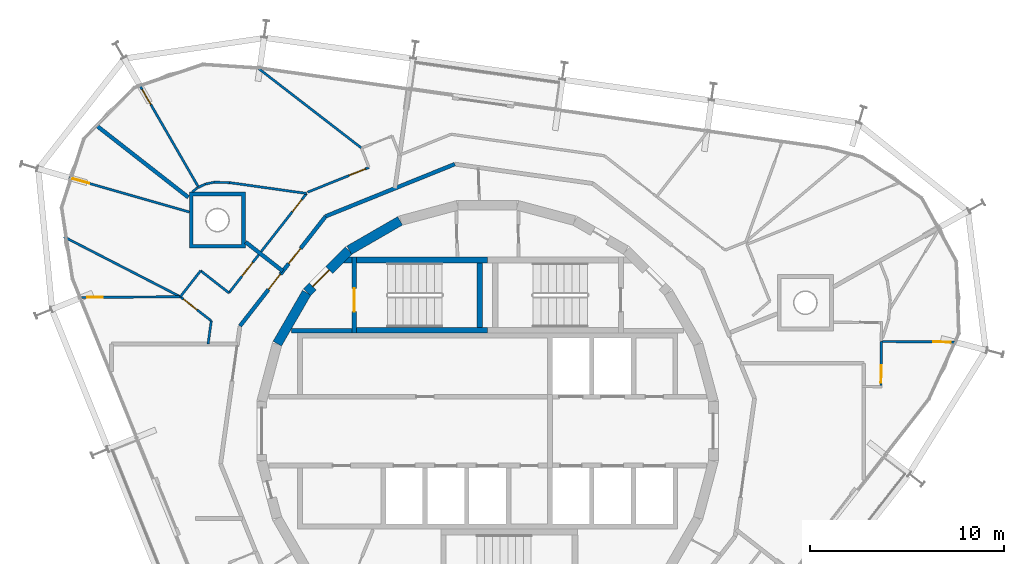
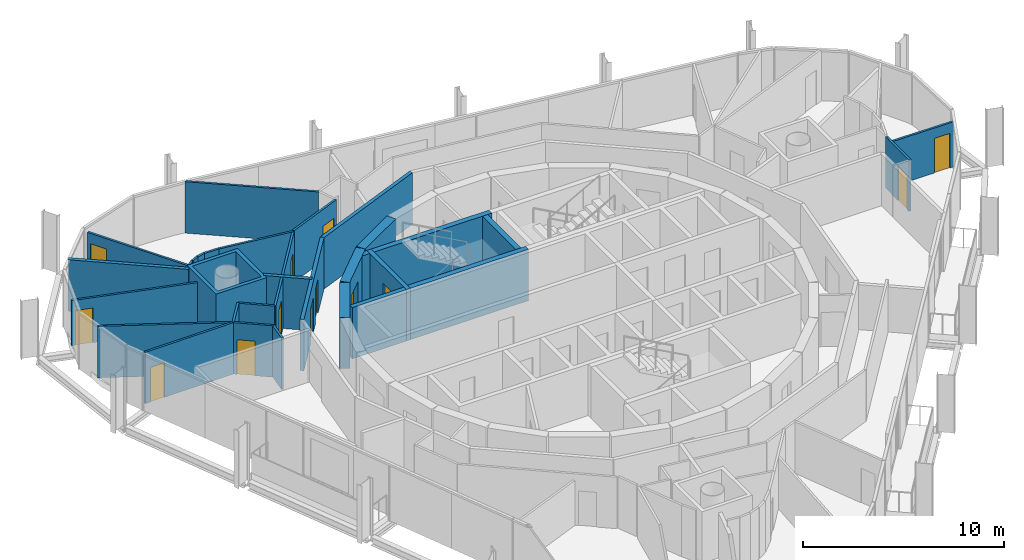
# One storey, part 12 of 15: 32 walls, 13 doors, 13 openings.
"""IFC4 building model written with IfcOpenShell, lengths in metres."""

from ifc_helpers import new_model, si_unit, direction, frame, frame_2d, origin, place, context, subcontext, project, spatial, polyline, rectangle, outline, extrude, material, layer, layer_set, type_object, element, fill, save


model = new_model("IFC4")

# Units and contexts
model_context = context("Model", 3, precision=1e-05, world=origin(), true_north=direction((0.0, 1.0)))
body_context = subcontext(model_context, "Body", "Model", "MODEL_VIEW")
ifc_project = project(units=[si_unit("LENGTHUNIT", "METRE"), si_unit("AREAUNIT", "SQUARE_METRE"), si_unit("VOLUMEUNIT", "CUBIC_METRE"), si_unit("PLANEANGLEUNIT", "RADIAN"), si_unit("MASSUNIT", "GRAM", prefix="KILO")], contexts=[model_context])

# Site, building, storey
site_placement = place(None, origin())
site = spatial("IfcSite", under=ifc_project, at=site_placement, CompositionType="ELEMENT")
building_placement = place(site_placement, origin())
building = spatial("IfcBuilding", under=site, at=building_placement, Name="Spindle Arch Residences", CompositionType="ELEMENT")
storey_placement = place(building_placement, frame((0.0, 0.0, 354.0)))
storey = spatial("IfcBuildingStorey", under=building, at=storey_placement, Name="L91", CompositionType="ELEMENT", Elevation=354.0)

# Wall
ifc_material_1 = material(Name="Concrete C50/60", Category="concrete")
ifc_layer_1 = layer(ifc_material_1, 0.5)
ifc_layer_set_1 = layer_set([ifc_layer_1], Name="Core outline wall 500")
wall_type_1 = type_object("IfcWallType", Name="Core outline wall 500", PredefinedType="SHEAR", material=ifc_layer_set_1)
wall_1_placement = place(storey_placement, frame((-4.510498046875, 10.84521484375, 0.0), z_axis=(0.0, 0.0, 1.0), x_axis=(-0.865975092491, -0.500087131594, 0.0)))
element("IfcWall", 1, at=wall_1_placement, inside=storey, type_object=wall_type_1, Name="Core outline wall 14", PredefinedType="SHEAR", context=body_context, shape_type="SweptSolid", body=[
    extrude(rectangle(XDim=3.03271484375, YDim=0.5, at=frame_2d((1.516357421875, 0.0))), origin(), (0.0, 0.0, 1.0), 3.1201171875),
])

# Wall, opening, door
wall_2_placement = place(storey_placement, frame((-7.163818359375, 9.30810546875, 0.0), z_axis=(0.0, 0.0, 1.0), x_axis=(-0.707106781187, -0.707106781187, 0.0)))
wall_2 = element("IfcWall", 2, at=wall_2_placement, inside=storey, type_object=wall_type_1, Name="Core outline wall 15", PredefinedType="SHEAR", context=body_context, shape_type="SweptSolid", body=[
    extrude(rectangle(XDim=3.032470703125, YDim=0.5, at=frame_2d((1.51611328125, 0.0))), origin(), (0.0, 0.0, 1.0), 3.1201171875),
])
opening_1_placement = place(wall_2_placement, frame((1.416259765625, 0.0, 0.0)))
opening_1 = element("IfcOpeningElement", 3, at=opening_1_placement, cuts=wall_2, Name="Opening R9C0-AD02", PredefinedType="OPENING", context=body_context, shape_type="SweptSolid", body=[
    extrude(rectangle(XDim=1.199951171875, YDim=2.10009765625, at=frame_2d((0.60009765625, 1.050048828125))), frame((0.0, 0.260009765625, 0.0), z_axis=(0.0, -1.0, 0.0), x_axis=(1.0, 0.0, 0.0)), (0.0, 0.0, 1.0), 0.52001953125),
])
ifc_material_2 = material(Name="Steel, fire-resisting door", Category="steel")
door_type_1 = type_object("IfcDoorType", Name="Stair airlock door 1200x2100", OperationType="SINGLE_SWING_LEFT", PredefinedType="DOOR", material=ifc_material_2)
door_1_placement = place(opening_1_placement, origin())
door_1 = element("IfcDoor", 4, at=door_1_placement, inside=storey, type_object=door_type_1, Name="Stair airlock door R9C0-AD02", OperationType="SINGLE_SWING_RIGHT", OverallHeight=2.10009765625, OverallWidth=1.199951171875, PredefinedType="DOOR", context=body_context, shape_type="SweptSolid", body=[
    extrude(rectangle(XDim=1.199951171875, YDim=2.10009765625, at=frame_2d((0.60009765625, 1.050048828125))), frame((0.0, 0.02490234375, 0.0), z_axis=(0.0, -1.0, 0.0), x_axis=(1.0, 0.0, 0.0)), (0.0, 0.0, 1.0), 0.050048828125),
])
fill(opening_1, door_1)

# Walls
wall_3_placement = place(storey_placement, frame((-9.32861328125, 7.13671875, 0.0), z_axis=(0.0, 0.0, 1.0), x_axis=(-0.500087131594, -0.865975092491, 0.0)))
element("IfcWall", 5, at=wall_3_placement, inside=storey, type_object=wall_type_1, Name="Core outline wall 16", PredefinedType="SHEAR", context=body_context, shape_type="SweptSolid", body=[
    extrude(rectangle(XDim=3.03271484375, YDim=0.5, at=frame_2d((1.516357421875, 0.0))), origin(), (0.0, 0.0, 1.0), 3.1201171875),
])
ifc_material_3 = material(Name="Calcium silicate block, plastered")
ifc_layer_2 = layer(ifc_material_3, 0.199951171875)
ifc_layer_set_2 = layer_set([ifc_layer_2], Name="Corridor wall 200")
wall_type_2 = type_object("IfcWallType", Name="Corridor wall 200", PredefinedType="STANDARD", material=ifc_layer_set_2)
wall_4_placement = place(storey_placement, frame((-1.690673828125, 13.769287109375, 0.0), z_axis=(0.0, 0.0, 1.0), x_axis=(-0.92717916932, -0.374618189599, 0.0)))
element("IfcWall", 6, at=wall_4_placement, inside=storey, type_object=wall_type_2, Name="Corridor wall R9C0-W011", PredefinedType="STANDARD", context=body_context, shape_type="SweptSolid", body=[
    extrude(rectangle(XDim=7.18115234375, YDim=0.199951171875, at=frame_2d((3.590576171875, 0.0))), origin(), (0.0, 0.0, 1.0), 3.1201171875),
])

# Wall, openings, doors
wall_5_placement = place(storey_placement, frame((-8.348876953125, 11.0791015625, 0.0), z_axis=(0.0, 0.0, 1.0), x_axis=(-0.615669112324, -0.78800478687, 0.0)))
wall_5 = element("IfcWall", 7, at=wall_5_placement, inside=storey, type_object=wall_type_2, Name="Corridor wall R9C0-W012", PredefinedType="STANDARD", context=body_context, shape_type="SweptSolid", body=[
    extrude(rectangle(XDim=7.18115234375, YDim=0.199951171875, at=frame_2d((3.590576171875, 0.0))), origin(), (0.0, 0.0, 1.0), 3.1201171875),
])
opening_2_placement = place(wall_5_placement, frame((2.10009765625, 0.0, 0.0)))
opening_2 = element("IfcOpeningElement", 8, at=opening_2_placement, cuts=wall_5, Name="Opening R9C0-FD03", PredefinedType="OPENING", context=body_context, shape_type="SweptSolid", body=[
    extrude(rectangle(XDim=1.0, YDim=2.10009765625, at=frame_2d((0.5, 1.050048828125))), frame((0.0, 0.10986328125, 0.0), z_axis=(0.0, -1.0, 0.0), x_axis=(1.0, 0.0, 0.0)), (0.0, 0.0, 1.0), 0.219970703125),
])
opening_3_placement = place(wall_5_placement, frame((3.790283203125, 0.0, 0.0)))
opening_3 = element("IfcOpeningElement", 9, at=opening_3_placement, cuts=wall_5, Name="Opening R9C0-FD04", PredefinedType="OPENING", context=body_context, shape_type="SweptSolid", body=[
    extrude(rectangle(XDim=1.0, YDim=2.10009765625, at=frame_2d((0.5, 1.050048828125))), frame((0.0, 0.10986328125, 0.0), z_axis=(0.0, -1.0, 0.0), x_axis=(1.0, 0.0, 0.0)), (0.0, 0.0, 1.0), 0.219970703125),
])
ifc_material_4 = material(Name="Timber, fire-resisting door set", Category="wood")
door_type_2 = type_object("IfcDoorType", Name="Flat entrance door 1000x2100", OperationType="NOTDEFINED", PredefinedType="DOOR", material=ifc_material_4)
door_2_placement = place(opening_2_placement, origin())
door_2 = element("IfcDoor", 10, at=door_2_placement, inside=storey, type_object=door_type_2, Name="Flat entrance door R9C0-FD03", OperationType="SINGLE_SWING_RIGHT", OverallHeight=2.10009765625, OverallWidth=1.0, PredefinedType="DOOR", context=body_context, shape_type="SweptSolid", body=[
    extrude(rectangle(XDim=1.0, YDim=2.10009765625, at=frame_2d((0.5, 1.050048828125))), frame((0.0, 0.02490234375, 0.0), z_axis=(0.0, -1.0, 0.0), x_axis=(1.0, 0.0, 0.0)), (0.0, 0.0, 1.0), 0.050048828125),
])
fill(opening_2, door_2)
door_3_placement = place(opening_3_placement, origin())
door_3 = element("IfcDoor", 11, at=door_3_placement, inside=storey, type_object=door_type_2, Name="Flat entrance door R9C0-FD04", OperationType="SINGLE_SWING_LEFT", OverallHeight=2.10009765625, OverallWidth=1.0, PredefinedType="DOOR", context=body_context, shape_type="SweptSolid", body=[
    extrude(rectangle(XDim=1.0, YDim=2.10009765625, at=frame_2d((0.5, 1.050048828125))), frame((0.0, 0.02490234375, 0.0), z_axis=(0.0, -1.0, 0.0), x_axis=(1.0, 0.0, 0.0)), (0.0, 0.0, 1.0), 0.050048828125),
])
fill(opening_3, door_3)

# Wall, opening, door
ifc_material_5 = material(Name="Plasterboard on steel studs", Category="steel")
ifc_layer_3 = layer(ifc_material_5, 0.1201171875)
ifc_layer_set_3 = layer_set([ifc_layer_3], Name="Flat partition 120")
wall_type_3 = type_object("IfcWallType", Name="Flat partition 120", PredefinedType="PARTITIONING", material=ifc_layer_set_3)
wall_6_placement = place(storey_placement, frame((20.285400390625, 2.29296875, 0.0), z_axis=(0.0, 0.0, 1.0), x_axis=(0.008900171034, 0.999960392693, 0.0)))
wall_6 = element("IfcWall", 12, at=wall_6_placement, inside=storey, type_object=wall_type_3, Name="Flat partition R9C0-W031", PredefinedType="PARTITIONING", context=body_context, shape_type="SweptSolid", body=[
    extrude(rectangle(XDim=2.33154296875, YDim=0.1201171875, at=frame_2d((1.165771484375, 0.0))), origin(), (0.0, 0.0, 1.0), 3.1201171875),
])
opening_4_placement = place(wall_6_placement, frame((0.199951171875, 0.0, 0.0)))
opening_4 = element("IfcOpeningElement", 13, at=opening_4_placement, cuts=wall_6, Name="Opening R9C0-ID01", PredefinedType="OPENING", context=body_context, shape_type="SweptSolid", body=[
    extrude(rectangle(XDim=0.89990234375, YDim=2.10009765625, at=frame_2d((0.449951171875, 1.050048828125))), frame((0.0, 0.070068359375, 0.0), z_axis=(0.0, -1.0, 0.0), x_axis=(1.0, 0.0, 0.0)), (0.0, 0.0, 1.0), 0.14013671875),
])
ifc_material_6 = material(Name="Timber door set", Category="wood")
door_type_3 = type_object("IfcDoorType", Name="Room door 900x2100", OperationType="NOTDEFINED", PredefinedType="DOOR", material=ifc_material_6)
door_4_placement = place(opening_4_placement, origin())
door_4 = element("IfcDoor", 14, at=door_4_placement, inside=storey, type_object=door_type_3, Name="Room door R9C0-ID01", OperationType="SINGLE_SWING_RIGHT", OverallHeight=2.10009765625, OverallWidth=0.89990234375, PredefinedType="DOOR", context=body_context, shape_type="SweptSolid", body=[
    extrude(rectangle(XDim=0.89990234375, YDim=2.10009765625, at=frame_2d((0.449951171875, 1.050048828125))), frame((0.0, 0.02490234375, 0.0), z_axis=(0.0, -1.0, 0.0), x_axis=(1.0, 0.0, 0.0)), (0.0, 0.0, 1.0), 0.050048828125),
])
fill(opening_4, door_4)

wall_7_placement = place(storey_placement, frame((-6.1181640625, 13.598388671875, 0.0), z_axis=(0.0, 0.0, 1.0), x_axis=(-0.927163982911, -0.374655773735, 0.0)))
wall_7 = element("IfcWall", 15, at=wall_7_placement, inside=storey, type_object=wall_type_3, Name="Flat partition R9C0-W053", PredefinedType="PARTITIONING", context=body_context, shape_type="SweptSolid", body=[
    extrude(rectangle(XDim=3.4140625, YDim=0.1201171875, at=frame_2d((1.70703125, 0.0))), origin(), (0.0, 0.0, 1.0), 3.1201171875),
])
opening_5_placement = place(wall_7_placement, frame((0.199951171875, 0.0, 0.0)))
opening_5 = element("IfcOpeningElement", 16, at=opening_5_placement, cuts=wall_7, Name="Opening R9C0-ID09", PredefinedType="OPENING", context=body_context, shape_type="SweptSolid", body=[
    extrude(rectangle(XDim=0.89990234375, YDim=2.10009765625, at=frame_2d((0.449951171875, 1.050048828125))), frame((0.0, 0.070068359375, 0.0), z_axis=(0.0, -1.0, 0.0), x_axis=(1.0, 0.0, 0.0)), (0.0, 0.0, 1.0), 0.14013671875),
])
door_5_placement = place(opening_5_placement, origin())
door_5 = element("IfcDoor", 17, at=door_5_placement, inside=storey, type_object=door_type_3, Name="Room door R9C0-ID09", OperationType="SINGLE_SWING_RIGHT", OverallHeight=2.10009765625, OverallWidth=0.89990234375, PredefinedType="DOOR", context=body_context, shape_type="SweptSolid", body=[
    extrude(rectangle(XDim=0.89990234375, YDim=2.10009765625, at=frame_2d((0.449951171875, 1.050048828125))), frame((0.0, 0.02490234375, 0.0), z_axis=(0.0, -1.0, 0.0), x_axis=(1.0, 0.0, 0.0)), (0.0, 0.0, 1.0), 0.050048828125),
])
fill(opening_5, door_5)

# Wall, openings, doors
wall_8_placement = place(storey_placement, frame((-9.33251953125, 12.256591796875, 0.0), z_axis=(0.0, 0.0, 1.0), x_axis=(-0.615643313808, -0.788024942602, 0.0)))
wall_8 = element("IfcWall", 18, at=wall_8_placement, inside=storey, type_object=wall_type_3, Name="Flat partition R9C0-W054", PredefinedType="PARTITIONING", context=body_context, shape_type="SweptSolid", body=[
    extrude(rectangle(XDim=6.50634765625, YDim=0.1201171875, at=frame_2d((3.253173828125, 0.0))), origin(), (0.0, 0.0, 1.0), 3.1201171875),
])
opening_6_placement = place(wall_8_placement, frame((0.39990234375, 0.0, 0.0)))
opening_6 = element("IfcOpeningElement", 19, at=opening_6_placement, cuts=wall_8, Name="Opening R9C0-BD03", PredefinedType="OPENING", context=body_context, shape_type="SweptSolid", body=[
    extrude(rectangle(XDim=0.800048828125, YDim=2.10009765625, at=frame_2d((0.39990234375, 1.050048828125))), frame((0.0, 0.070068359375, 0.0), z_axis=(0.0, -1.0, 0.0), x_axis=(1.0, 0.0, 0.0)), (0.0, 0.0, 1.0), 0.14013671875),
])
opening_7_placement = place(wall_8_placement, frame((4.512451171875, 0.0, 0.0)))
opening_7 = element("IfcOpeningElement", 20, at=opening_7_placement, cuts=wall_8, Name="Opening R9C0-ID11", PredefinedType="OPENING", context=body_context, shape_type="SweptSolid", body=[
    extrude(rectangle(XDim=0.89990234375, YDim=2.10009765625, at=frame_2d((0.449951171875, 1.050048828125))), frame((0.0, 0.070068359375, 0.0), z_axis=(0.0, -1.0, 0.0), x_axis=(1.0, 0.0, 0.0)), (0.0, 0.0, 1.0), 0.14013671875),
])
ifc_material_7 = material(Name="Timber door set", Category="wood")
door_type_4 = type_object("IfcDoorType", Name="Bathroom door 800x2100", OperationType="NOTDEFINED", PredefinedType="DOOR", material=ifc_material_7)
door_6_placement = place(opening_6_placement, origin())
door_6 = element("IfcDoor", 21, at=door_6_placement, inside=storey, type_object=door_type_4, Name="Bathroom door R9C0-BD03", OperationType="SINGLE_SWING_RIGHT", OverallHeight=2.10009765625, OverallWidth=0.800048828125, PredefinedType="DOOR", context=body_context, shape_type="SweptSolid", body=[
    extrude(rectangle(XDim=0.800048828125, YDim=2.10009765625, at=frame_2d((0.39990234375, 1.050048828125))), frame((0.0, 0.02490234375, 0.0), z_axis=(0.0, -1.0, 0.0), x_axis=(1.0, 0.0, 0.0)), (0.0, 0.0, 1.0), 0.050048828125),
])
fill(opening_6, door_6)
door_7_placement = place(opening_7_placement, origin())
door_7 = element("IfcDoor", 22, at=door_7_placement, inside=storey, type_object=door_type_3, Name="Room door R9C0-ID11", OperationType="SINGLE_SWING_LEFT", OverallHeight=2.10009765625, OverallWidth=0.89990234375, PredefinedType="DOOR", context=body_context, shape_type="SweptSolid", body=[
    extrude(rectangle(XDim=0.89990234375, YDim=2.10009765625, at=frame_2d((0.449951171875, 1.050048828125))), frame((0.0, 0.02490234375, 0.0), z_axis=(0.0, -1.0, 0.0), x_axis=(1.0, 0.0, 0.0)), (0.0, 0.0, 1.0), 0.050048828125),
])
fill(opening_7, door_7)

# Walls
wall_9_placement = place(storey_placement, frame((-11.80322265625, 18.693115234375, 0.0), z_axis=(0.0, 0.0, 1.0), x_axis=(0.791388468332, -0.611313579262, 0.0)))
element("IfcWall", 23, at=wall_9_placement, inside=storey, type_object=wall_type_3, Name="Flat partition R9C0-W055", PredefinedType="PARTITIONING", context=body_context, shape_type="SweptSolid", body=[
    extrude(rectangle(XDim=6.693359375, YDim=0.1201171875, at=frame_2d((3.3466796875, 0.0))), origin(), (0.0, 0.0, 1.0), 3.1201171875),
])
wall_10_placement = place(storey_placement, frame((-14.941162109375, 12.556884765625, 0.0), z_axis=(0.0, 0.0, 1.0), x_axis=(0.903749522455, 0.428061678572, 0.0)))
element("IfcWall", 24, at=wall_10_placement, inside=storey, type_object=wall_type_3, Name="Flat partition R9C0-W056", PredefinedType="PARTITIONING", context=body_context, shape_type="SweptSolid", body=[
    extrude(rectangle(XDim=0.425537109375, YDim=0.1201171875, at=frame_2d((0.212890625, 0.0))), origin(), (0.0, 0.0, 1.0), 3.1201171875),
])
wall_11_placement = place(storey_placement, frame((-14.556640625, 12.739013671875, 0.0), z_axis=(0.0, 0.0, 1.0), x_axis=(0.978201106396, 0.207659807008, 0.0)))
element("IfcWall", 25, at=wall_11_placement, inside=storey, type_object=wall_type_3, Name="Flat partition R9C0-W057", PredefinedType="PARTITIONING", context=body_context, shape_type="SweptSolid", body=[
    extrude(rectangle(XDim=0.455078125, YDim=0.1201171875, at=frame_2d((0.2275390625, 0.0))), origin(), (0.0, 0.0, 1.0), 3.1201171875),
])
wall_12_placement = place(storey_placement, frame((-14.111572265625, 12.83349609375, 0.0), z_axis=(0.0, 0.0, 1.0), x_axis=(0.999735389157, -0.023003296874, 0.0)))
element("IfcWall", 26, at=wall_12_placement, inside=storey, type_object=wall_type_3, Name="Flat partition R9C0-W058", PredefinedType="PARTITIONING", context=body_context, shape_type="SweptSolid", body=[
    extrude(rectangle(XDim=0.806640625, YDim=0.1201171875, at=frame_2d((0.4033203125, 0.0))), origin(), (0.0, 0.0, 1.0), 3.1201171875),
])
wall_13_placement = place(storey_placement, frame((-13.30517578125, 12.81494140625, 0.0), z_axis=(0.0, 0.0, 1.0), x_axis=(0.990267066123, -0.139180234773, 0.0)))
element("IfcWall", 27, at=wall_13_placement, inside=storey, type_object=wall_type_3, Name="Flat partition R9C0-W059", PredefinedType="PARTITIONING", context=body_context, shape_type="SweptSolid", body=[
    extrude(rectangle(XDim=4.01171875, YDim=0.1201171875, at=frame_2d((2.005859375, 0.0))), origin(), (0.0, 0.0, 1.0), 3.1201171875),
])
wall_14_placement = place(storey_placement, frame((-14.9677734375, 12.54443359375, 0.0), z_axis=(0.0, 0.0, 1.0), x_axis=(-0.780727997402, -0.62487102195, 0.0)))
element("IfcWall", 28, at=wall_14_placement, inside=storey, type_object=wall_type_3, Name="Flat partition R9C0-W061", PredefinedType="PARTITIONING", context=body_context, shape_type="SweptSolid", body=[
    extrude(rectangle(XDim=0.33837890625, YDim=0.1201171875, at=frame_2d((0.169189453125, 0.0))), origin(), (0.0, 0.0, 1.0), 3.1201171875),
])
wall_15_placement = place(storey_placement, frame((-13.338134765625, 7.12939453125, 0.0), z_axis=(0.0, 0.0, 1.0), x_axis=(-0.787938483233, 0.615753965997, 0.0)))
element("IfcWall", 29, at=wall_15_placement, inside=storey, type_object=wall_type_3, Name="Flat partition R9C0-W062", PredefinedType="PARTITIONING", context=body_context, shape_type="SweptSolid", body=[
    extrude(rectangle(XDim=1.853271484375, YDim=0.1201171875, at=frame_2d((0.9267578125, 0.0))), origin(), (0.0, 0.0, 1.0), 3.1201171875),
])
wall_16_placement = place(storey_placement, frame((-14.79833984375, 8.2705078125, 0.0), z_axis=(0.0, 0.0, 1.0), x_axis=(-0.615669123866, -0.788004777852, 0.0)))
element("IfcWall", 30, at=wall_16_placement, inside=storey, type_object=wall_type_3, Name="Flat partition R9C0-W063", PredefinedType="PARTITIONING", context=body_context, shape_type="SweptSolid", body=[
    extrude(rectangle(XDim=1.699951171875, YDim=0.1201171875, at=frame_2d((0.85009765625, 0.0))), origin(), (0.0, 0.0, 1.0), 3.1201171875),
])

# Wall, opening, door
wall_17_placement = place(storey_placement, frame((-15.844970703125, 6.930908203125, 0.0), z_axis=(0.0, 0.0, 1.0), x_axis=(0.787962283792, -0.615723508827, 0.0)))
wall_17 = element("IfcWall", 31, at=wall_17_placement, inside=storey, type_object=wall_type_3, Name="Flat partition R9C0-W064", PredefinedType="PARTITIONING", context=body_context, shape_type="SweptSolid", body=[
    extrude(rectangle(XDim=2.02685546875, YDim=0.1201171875, at=frame_2d((1.013427734375, 0.0))), origin(), (0.0, 0.0, 1.0), 3.1201171875),
])
opening_8_placement = place(wall_17_placement, frame((0.199951171875, 0.0, 0.0)))
opening_8 = element("IfcOpeningElement", 32, at=opening_8_placement, cuts=wall_17, Name="Opening R9C0-ID12", PredefinedType="OPENING", context=body_context, shape_type="SweptSolid", body=[
    extrude(rectangle(XDim=0.89990234375, YDim=2.10009765625, at=frame_2d((0.449951171875, 1.050048828125))), frame((0.0, 0.070068359375, 0.0), z_axis=(0.0, -1.0, 0.0), x_axis=(1.0, 0.0, 0.0)), (0.0, 0.0, 1.0), 0.14013671875),
])
door_8_placement = place(opening_8_placement, origin())
door_8 = element("IfcDoor", 33, at=door_8_placement, inside=storey, type_object=door_type_3, Name="Room door R9C0-ID12", OperationType="SINGLE_SWING_LEFT", OverallHeight=2.10009765625, OverallWidth=0.89990234375, PredefinedType="DOOR", context=body_context, shape_type="SweptSolid", body=[
    extrude(rectangle(XDim=0.89990234375, YDim=2.10009765625, at=frame_2d((0.449951171875, 1.050048828125))), frame((0.0, 0.02490234375, 0.0), z_axis=(0.0, -1.0, 0.0), x_axis=(1.0, 0.0, 0.0)), (0.0, 0.0, 1.0), 0.050048828125),
])
fill(opening_8, door_8)

# Walls
wall_18_placement = place(storey_placement, frame((-14.247802734375, 5.682861328125, 0.0), z_axis=(0.0, 0.0, 1.0), x_axis=(-0.139189066398, -0.990265824814, 0.0)))
element("IfcWall", 34, at=wall_18_placement, inside=storey, type_object=wall_type_3, Name="Flat partition R9C0-W065", PredefinedType="PARTITIONING", context=body_context, shape_type="SweptSolid", body=[
    extrude(rectangle(XDim=1.194580078125, YDim=0.1201171875, at=frame_2d((0.59716796875, 0.0))), origin(), (0.0, 0.0, 1.0), 3.1201171875),
])
wall_19_placement = place(storey_placement, frame((-21.85009765625, 10.021484375, 0.0), z_axis=(0.0, 0.0, 1.0), x_axis=(0.889153763622, -0.457608549567, 0.0)))
element("IfcWall", 35, at=wall_19_placement, inside=storey, type_object=wall_type_3, Name="Flat partition R9C0-W067", PredefinedType="PARTITIONING", context=body_context, shape_type="SweptSolid", body=[
    extrude(rectangle(XDim=6.753662109375, YDim=0.1201171875, at=frame_2d((3.376953125, 0.0))), origin(), (0.0, 0.0, 1.0), 3.1201171875),
])

# Wall, opening, door
wall_20_placement = place(storey_placement, frame((-20.945556640625, 6.892333984375, 0.0), z_axis=(0.0, 0.0, 1.0), x_axis=(0.999971403985, 0.007562487164, 0.0)))
wall_20 = element("IfcWall", 36, at=wall_20_placement, inside=storey, type_object=wall_type_3, Name="Flat partition R9C0-W068", PredefinedType="PARTITIONING", context=body_context, shape_type="SweptSolid", body=[
    extrude(rectangle(XDim=5.100830078125, YDim=0.1201171875, at=frame_2d((2.55029296875, 0.0))), origin(), (0.0, 0.0, 1.0), 3.1201171875),
])
opening_9_placement = place(wall_20_placement, frame((0.300048828125, 0.0, 0.0)))
opening_9 = element("IfcOpeningElement", 37, at=opening_9_placement, cuts=wall_20, Name="Opening R9C0-BD04", PredefinedType="OPENING", context=body_context, shape_type="SweptSolid", body=[
    extrude(rectangle(XDim=0.800048828125, YDim=2.10009765625, at=frame_2d((0.39990234375, 1.050048828125))), frame((0.0, 0.070068359375, 0.0), z_axis=(0.0, -1.0, 0.0), x_axis=(1.0, 0.0, 0.0)), (0.0, 0.0, 1.0), 0.14013671875),
])
door_9_placement = place(opening_9_placement, origin())
door_9 = element("IfcDoor", 38, at=door_9_placement, inside=storey, type_object=door_type_4, Name="Bathroom door R9C0-BD04", OperationType="SINGLE_SWING_LEFT", OverallHeight=2.10009765625, OverallWidth=0.800048828125, PredefinedType="DOOR", context=body_context, shape_type="SweptSolid", body=[
    extrude(rectangle(XDim=0.800048828125, YDim=2.10009765625, at=frame_2d((0.39990234375, 1.050048828125))), frame((0.0, 0.02490234375, 0.0), z_axis=(0.0, -1.0, 0.0), x_axis=(1.0, 0.0, 0.0)), (0.0, 0.0, 1.0), 0.050048828125),
])
fill(opening_9, door_9)

ifc_material_8 = material(Name="Plasterboard on steel studs", Category="steel")
ifc_layer_4 = layer(ifc_material_8, 0.1201171875)
ifc_layer_set_4 = layer_set([ifc_layer_4], Name="Flat partition 120 under beam 2730")
wall_type_4 = type_object("IfcWallType", Name="Flat partition 120 under beam 2730", PredefinedType="PARTITIONING", material=ifc_layer_set_4)
wall_21_placement = place(storey_placement, frame((24.084716796875, 4.5908203125, 0.0), z_axis=(0.0, 0.0, 1.0), x_axis=(-0.99996025077, 0.008916102255, 0.0)))
wall_21 = element("IfcWall", 39, at=wall_21_placement, inside=storey, type_object=wall_type_4, Name="Flat partition R9C0-W034", PredefinedType="PARTITIONING", context=body_context, shape_type="SweptSolid", body=[
    extrude(rectangle(XDim=3.77880859375, YDim=0.1201171875, at=frame_2d((1.889404296875, 0.0))), origin(), (0.0, 0.0, 1.0), 2.72998046875),
])
opening_10_placement = place(wall_21_placement, frame((0.199951171875, 0.0, 0.0)))
opening_10 = element("IfcOpeningElement", 40, at=opening_10_placement, cuts=wall_21, Name="Opening R9C0-ID03", PredefinedType="OPENING", context=body_context, shape_type="SweptSolid", body=[
    extrude(rectangle(XDim=0.89990234375, YDim=2.10009765625, at=frame_2d((0.449951171875, 1.050048828125))), frame((0.0, 0.070068359375, 0.0), z_axis=(0.0, -1.0, 0.0), x_axis=(1.0, 0.0, 0.0)), (0.0, 0.0, 1.0), 0.14013671875),
])
door_10_placement = place(opening_10_placement, origin())
door_10 = element("IfcDoor", 41, at=door_10_placement, inside=storey, type_object=door_type_3, Name="Room door R9C0-ID03", OperationType="SINGLE_SWING_RIGHT", OverallHeight=2.10009765625, OverallWidth=0.89990234375, PredefinedType="DOOR", context=body_context, shape_type="SweptSolid", body=[
    extrude(rectangle(XDim=0.89990234375, YDim=2.10009765625, at=frame_2d((0.449951171875, 1.050048828125))), frame((0.0, 0.02490234375, 0.0), z_axis=(0.0, -1.0, 0.0), x_axis=(1.0, 0.0, 0.0)), (0.0, 0.0, 1.0), 0.050048828125),
])
fill(opening_10, door_10)

wall_22_placement = place(storey_placement, frame((-17.912353515625, 17.788818359375, 0.0), z_axis=(0.0, 0.0, 1.0), x_axis=(0.499615949423, -0.866247021976, 0.0)))
wall_22 = element("IfcWall", 42, at=wall_22_placement, inside=storey, type_object=wall_type_4, Name="Flat partition R9C0-W060", PredefinedType="PARTITIONING", context=body_context, shape_type="SweptSolid", body=[
    extrude(rectangle(XDim=6.019775390625, YDim=0.1201171875, at=frame_2d((3.009765625, 0.0))), origin(), (0.0, 0.0, 1.0), 2.72998046875),
])
opening_11_placement = place(wall_22_placement, frame((0.199951171875, 0.0, 0.0)))
opening_11 = element("IfcOpeningElement", 43, at=opening_11_placement, cuts=wall_22, Name="Opening R9C0-ID10", PredefinedType="OPENING", context=body_context, shape_type="SweptSolid", body=[
    extrude(rectangle(XDim=0.89990234375, YDim=2.10009765625, at=frame_2d((0.449951171875, 1.050048828125))), frame((0.0, 0.070068359375, 0.0), z_axis=(0.0, -1.0, 0.0), x_axis=(1.0, 0.0, 0.0)), (0.0, 0.0, 1.0), 0.14013671875),
])
door_11_placement = place(opening_11_placement, origin())
door_11 = element("IfcDoor", 44, at=door_11_placement, inside=storey, type_object=door_type_3, Name="Room door R9C0-ID10", OperationType="SINGLE_SWING_RIGHT", OverallHeight=2.10009765625, OverallWidth=0.89990234375, PredefinedType="DOOR", context=body_context, shape_type="SweptSolid", body=[
    extrude(rectangle(XDim=0.89990234375, YDim=2.10009765625, at=frame_2d((0.449951171875, 1.050048828125))), frame((0.0, 0.02490234375, 0.0), z_axis=(0.0, -1.0, 0.0), x_axis=(1.0, 0.0, 0.0)), (0.0, 0.0, 1.0), 0.050048828125),
])
fill(opening_11, door_11)

wall_23_placement = place(storey_placement, frame((-21.59375, 13.076904296875, 0.0), z_axis=(0.0, 0.0, 1.0), x_axis=(0.961389857774, -0.275190009576, 0.0)))
wall_23 = element("IfcWall", 45, at=wall_23_placement, inside=storey, type_object=wall_type_4, Name="Flat partition R9C0-W066", PredefinedType="PARTITIONING", context=body_context, shape_type="SweptSolid", body=[
    extrude(rectangle(XDim=6.4638671875, YDim=0.1201171875, at=frame_2d((3.23193359375, 0.0))), origin(), (0.0, 0.0, 1.0), 2.72998046875),
])
opening_12_placement = place(wall_23_placement, frame((0.199951171875, 0.0, 0.0)))
opening_12 = element("IfcOpeningElement", 46, at=opening_12_placement, cuts=wall_23, Name="Opening R9C0-ID13", PredefinedType="OPENING", context=body_context, shape_type="SweptSolid", body=[
    extrude(rectangle(XDim=0.89990234375, YDim=2.10009765625, at=frame_2d((0.449951171875, 1.050048828125))), frame((0.0, 0.070068359375, 0.0), z_axis=(0.0, -1.0, 0.0), x_axis=(1.0, 0.0, 0.0)), (0.0, 0.0, 1.0), 0.14013671875),
])
door_12_placement = place(opening_12_placement, origin())
door_12 = element("IfcDoor", 47, at=door_12_placement, inside=storey, type_object=door_type_3, Name="Room door R9C0-ID13", OperationType="SINGLE_SWING_LEFT", OverallHeight=2.10009765625, OverallWidth=0.89990234375, PredefinedType="DOOR", context=body_context, shape_type="SweptSolid", body=[
    extrude(rectangle(XDim=0.89990234375, YDim=2.10009765625, at=frame_2d((0.449951171875, 1.050048828125))), frame((0.0, 0.02490234375, 0.0), z_axis=(0.0, -1.0, 0.0), x_axis=(1.0, 0.0, 0.0)), (0.0, 0.0, 1.0), 0.050048828125),
])
fill(opening_12, door_12)

# Walls
ifc_material_9 = material(Name="Calcium silicate block, plastered")
ifc_layer_5 = layer(ifc_material_9, 0.199951171875)
ifc_layer_set_5 = layer_set([ifc_layer_5], Name="Flat party wall 200")
wall_type_5 = type_object("IfcWallType", Name="Flat party wall 200", PredefinedType="STANDARD", material=ifc_layer_set_5)
wall_24_placement = place(storey_placement, frame((-12.4794921875, 9.75, 0.0), z_axis=(0.0, 0.0, 1.0), x_axis=(0.788050197026, -0.615610986717, 0.0)))
element("IfcWall", 48, at=wall_24_placement, inside=storey, type_object=wall_type_5, Name="Flat party wall R9C0-W026", PredefinedType="STANDARD", context=body_context, shape_type="SweptSolid", body=[
    extrude(rectangle(XDim=2.4365234375, YDim=0.199951171875, at=frame_2d((1.21826171875, 0.0))), origin(), (0.0, 0.0, 1.0), 3.1201171875),
])
wall_25_placement = place(storey_placement, frame((-20.19091796875, 15.77490234375, 0.0), z_axis=(0.0, 0.0, 1.0), x_axis=(0.788013955741, -0.615657376758, 0.0)))
element("IfcWall", 49, at=wall_25_placement, inside=storey, type_object=wall_type_5, Name="Flat party wall R9C0-W027", PredefinedType="STANDARD", context=body_context, shape_type="SweptSolid", body=[
    extrude(rectangle(XDim=6.039794921875, YDim=0.199951171875, at=frame_2d((3.02001953125, 0.0))), origin(), (0.0, 0.0, 1.0), 3.1201171875),
])
ifc_material_10 = material(Name="Calcium silicate block, plastered")
ifc_layer_6 = layer(ifc_material_10, 0.199951171875)
ifc_layer_set_6 = layer_set([ifc_layer_6], Name="Mega-column casing wall 200")
wall_type_6 = type_object("IfcWallType", Name="Mega-column casing wall 200", PredefinedType="STANDARD", material=ifc_layer_set_6)
wall_26_placement = place(storey_placement, origin())
element("IfcWall", 50, at=wall_26_placement, inside=storey, type_object=wall_type_6, Name="Mega-column casing wall R9C0-WC02", PredefinedType="STANDARD", context=body_context, shape_type="SweptSolid", body=[
    extrude(outline(polyline([(-12.4794921875, 12.3330078125), (-12.4794921875, 9.43310546875), (-15.37939453125, 9.43310546875), (-15.37939453125, 12.3330078125), (-12.4794921875, 12.3330078125)]), holes=[polyline([(-15.179443359375, 9.633056640625), (-12.679443359375, 9.633056640625), (-12.679443359375, 12.133056640625), (-15.179443359375, 12.133056640625), (-15.179443359375, 9.633056640625)])]), origin(), (0.0, 0.0, 1.0), 3.1201171875),
])
ifc_material_11 = material(Name="Concrete C40/50", Category="concrete")
ifc_layer_7 = layer(ifc_material_11, 0.25)
ifc_layer_set_7 = layer_set([ifc_layer_7], Name="Stair airlock wall 250")
wall_type_7 = type_object("IfcWallType", Name="Stair airlock wall 250", PredefinedType="SHEAR", material=ifc_layer_set_7)
wall_27_placement = place(storey_placement, frame((-7.0, 5.175048828125, 0.0), z_axis=(0.0, 0.0, 1.0), x_axis=(-1.0, 0.0, 0.0)))
element("IfcWall", 51, at=wall_27_placement, inside=storey, type_object=wall_type_7, Name="Stair ST-2 airlock wall S", PredefinedType="SHEAR", context=body_context, shape_type="SweptSolid", body=[
    extrude(rectangle(XDim=3.10009765625, YDim=0.25, at=frame_2d((1.550048828125, 0.0))), origin(), (0.0, 0.0, 1.0), 3.1201171875),
])
ifc_material_12 = material(Name="Concrete C40/50", Category="concrete")
wall_type_8 = type_object("IfcWallType", Name="Stair airlock wall profile", PredefinedType="SHEAR", material=ifc_material_12)
wall_28_placement = place(storey_placement, origin())
element("IfcWall", 52, at=wall_28_placement, inside=storey, type_object=wall_type_8, Name="Stair ST-2 airlock wall N", PredefinedType="SHEAR", context=body_context, shape_type="SweptSolid", body=[
    extrude(outline(polyline([(-7.148193359375, 8.969970703125), (-7.0, 8.969970703125), (-7.0, 8.669921875), (-7.4482421875, 8.669921875), (-7.148193359375, 8.969970703125)])), origin(), (0.0, 0.0, 1.0), 3.1201171875),
])

# Wall, opening, door
ifc_material_13 = material(Name="Concrete C50/60", Category="concrete")
ifc_layer_8 = layer(ifc_material_13, 0.25)
ifc_layer_set_8 = layer_set([ifc_layer_8], Name="Stair enclosure wall 250")
wall_type_9 = type_object("IfcWallType", Name="Stair enclosure wall 250", PredefinedType="SHEAR", material=ifc_layer_set_8)
wall_29_placement = place(storey_placement, frame((-6.875, 8.969970703125, 0.0), z_axis=(0.0, 0.0, 1.0), x_axis=(0.0, -1.0, 0.0)))
wall_29 = element("IfcWall", 53, at=wall_29_placement, inside=storey, type_object=wall_type_9, Name="Stair ST-2 door wall", PredefinedType="SHEAR", context=body_context, shape_type="SweptSolid", body=[
    extrude(rectangle(XDim=3.919921875, YDim=0.25, at=frame_2d((1.9599609375, 0.0))), origin(), (0.0, 0.0, 1.0), 3.1201171875),
])
opening_13_placement = place(wall_29_placement, frame((1.610107421875, 0.0, 0.0)))
opening_13 = element("IfcOpeningElement", 54, at=opening_13_placement, cuts=wall_29, Name="Opening R9C0-SD02", PredefinedType="OPENING", context=body_context, shape_type="SweptSolid", body=[
    extrude(rectangle(XDim=1.199951171875, YDim=2.10009765625, at=frame_2d((0.60009765625, 1.050048828125))), frame((0.0, 0.135009765625, 0.0), z_axis=(0.0, -1.0, 0.0), x_axis=(1.0, 0.0, 0.0)), (0.0, 0.0, 1.0), 0.27001953125),
])
ifc_material_14 = material(Name="Steel, fire-resisting door", Category="steel")
door_type_5 = type_object("IfcDoorType", Name="Stair door 1200x2100", OperationType="SINGLE_SWING_RIGHT", PredefinedType="DOOR", material=ifc_material_14)
door_13_placement = place(opening_13_placement, origin())
door_13 = element("IfcDoor", 55, at=door_13_placement, inside=storey, type_object=door_type_5, Name="Stair door R9C0-SD02", OperationType="SINGLE_SWING_LEFT", OverallHeight=2.10009765625, OverallWidth=1.199951171875, PredefinedType="DOOR", context=body_context, shape_type="SweptSolid", body=[
    extrude(rectangle(XDim=1.199951171875, YDim=2.10009765625, at=frame_2d((0.60009765625, 1.050048828125))), frame((0.0, 0.02490234375, 0.0), z_axis=(0.0, -1.0, 0.0), x_axis=(1.0, 0.0, 0.0)), (0.0, 0.0, 1.0), 0.050048828125),
])
fill(opening_13, door_13)

# Walls
ifc_material_15 = material(Name="Concrete C50/60", Category="concrete")
ifc_layer_9 = layer(ifc_material_15, 0.300048828125)
ifc_layer_set_9 = layer_set([ifc_layer_9], Name="Stair enclosure wall 300")
wall_type_10 = type_object("IfcWallType", Name="Stair enclosure wall 300", PredefinedType="SHEAR", material=ifc_layer_set_9)
for number, where, z_axis, x_axis, name in (
    (56, (-6.75, 5.199951171875, 0.0), (0.0, 0.0, 1.0), (1.0, 0.0, 0.0), "Stair ST-2 enclosure wall S"),
    (57, (-6.75, 8.820068359375, 0.0), (0.0, 0.0, 1.0), (1.0, 0.0, 0.0), "Stair ST-2 enclosure wall N"),
):
    element("IfcWall", number, at=place(storey_placement, frame(where, z_axis=z_axis, x_axis=x_axis)), inside=storey, type_object=wall_type_10, Name=name, PredefinedType="SHEAR", context=body_context, shape_type="SweptSolid", body=[
        extrude(rectangle(XDim=6.75, YDim=0.300048828125, at=frame_2d((3.375, 0.0))), origin(), (0.0, 0.0, 1.0), 3.1201171875),
    ])
wall_30_placement = place(storey_placement, frame((-0.39990234375, 5.35009765625, 0.0), z_axis=(0.0, 0.0, 1.0), x_axis=(0.0, 1.0, 0.0)))
element("IfcWall", 58, at=wall_30_placement, inside=storey, type_object=wall_type_10, Name="Stair ST-2 enclosure wall F", PredefinedType="SHEAR", context=body_context, shape_type="SweptSolid", body=[
    extrude(rectangle(XDim=3.31982421875, YDim=0.300048828125, at=frame_2d((1.659912109375, 0.0))), origin(), (0.0, 0.0, 1.0), 3.1201171875),
])

save(model, "model.ifc")
